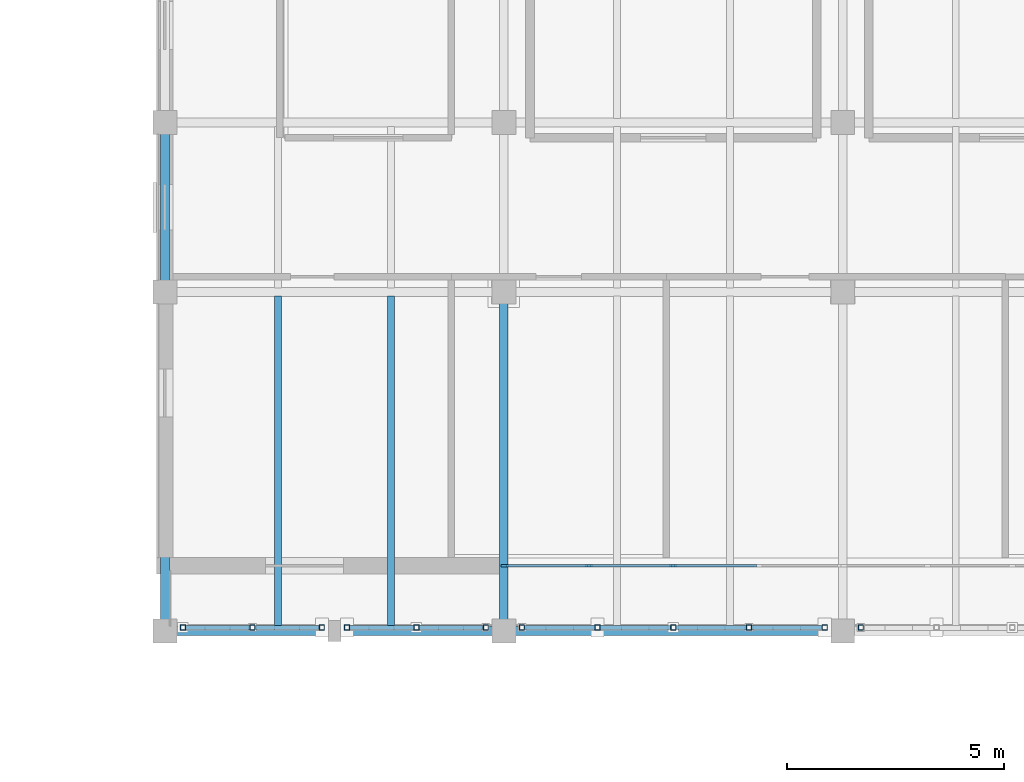
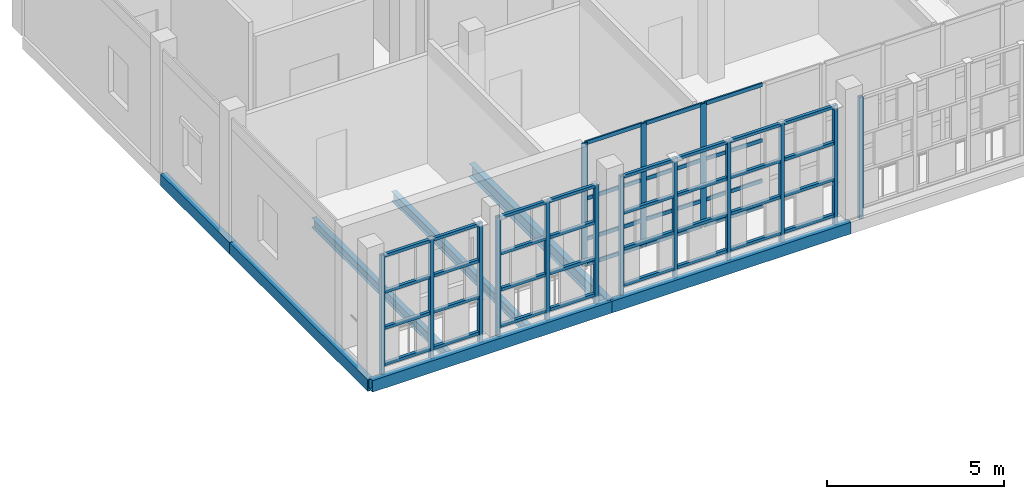
# One storey, part 48 of 119: 59 members, 7 beams, 1 element without a shape of its own.
"""IFC4 building model written with IfcOpenShell, lengths in metres."""

import ifcopenshell
import ifcopenshell.guid

model = None  # the IFC model being written
_history = None  # IfcOwnerHistory: only IFC2X3 demands one
_inside = {}  # id of a spatial element -> (the spatial element, [elements in it])
_under = {}  # id of a project, library or spatial element -> (it, [spatial elements below it])
_declared = {}  # id of a project -> (the project, [libraries it declares])
_typed = {}  # id of a type object -> (the type object, [elements of that type])
_made_of = {}  # id of a material, layer set ... -> (it, [elements and type objects made of it])


def new_model(schema):
    """Start an empty IFC model of exactly this schema.

    Asked for "IFC4X3", IfcOpenShell would pick the latest addendum, in which some entities
    have other attributes; the version numbers below select the first issue.
    IFC2X3 requires an IfcOwnerHistory on every rooted entity: one is made here for all.
    """
    global model, _history
    if schema == "IFC4X3":
        model = ifcopenshell.file(schema_version=(4, 3, 0, 0))
    else:
        model = ifcopenshell.file(schema=schema)
    _inside.clear()
    _under.clear()
    _declared.clear()
    _typed.clear()
    _made_of.clear()
    _history = None
    if model.schema == "IFC2X3":
        org = make("IfcOrganization", Name="unknown")
        user = make(
            "IfcPersonAndOrganization",
            ThePerson=make("IfcPerson", FamilyName="unknown"),
            TheOrganization=org,
        )
        app = make(
            "IfcApplication",
            ApplicationDeveloper=org,
            Version="unknown",
            ApplicationFullName="unknown",
            ApplicationIdentifier="unknown",
        )
        _history = make(
            "IfcOwnerHistory",
            OwningUser=user,
            OwningApplication=app,
            ChangeAction="ADDED",
            CreationDate=0,
        )
    return model


def make(cls, **values):
    """One entity of the class cls with the attributes given. An attribute that is None is left unset."""
    return model.create_entity(
        cls, **{name: value for name, value in values.items() if value is not None}
    )


def rooted(cls, **values):
    """An entity with a GlobalId (a new one), such as an element, a storey or a relation."""
    return make(cls, GlobalId=ifcopenshell.guid.new(), OwnerHistory=_history, **values)


def si_unit(unit_type, name, prefix=None):
    """IfcSIUnit, for example si_unit("LENGTHUNIT", "METRE", prefix="MILLI")."""
    return make("IfcSIUnit", UnitType=unit_type, Prefix=prefix, Name=name)


def assignment(units):
    """IfcUnitAssignment: the units of a project."""
    return None if units is None else make("IfcUnitAssignment", Units=units)


def point(xyz):
    """IfcCartesianPoint."""
    return None if xyz is None else make("IfcCartesianPoint", Coordinates=xyz)


def direction(xyz):
    """IfcDirection."""
    return None if xyz is None else make("IfcDirection", DirectionRatios=xyz)


def frame(location, z_axis=None, x_axis=None):
    """IfcAxis2Placement3D, a coordinate frame: its origin and axes. An axis left out is left unset."""
    return make(
        "IfcAxis2Placement3D",
        Location=point(location),
        Axis=direction(z_axis),
        RefDirection=direction(x_axis),
    )


def frame_2d(location, x_axis=None):
    """IfcAxis2Placement2D, a coordinate frame in the plane: its origin and x axis."""
    return make(
        "IfcAxis2Placement2D", Location=point(location), RefDirection=direction(x_axis)
    )


def origin():
    """The frame at (0, 0, 0) with its axes left unset."""
    return frame((0.0, 0.0, 0.0))


def origin_2d():
    """The frame at (0, 0) in the plane with its x axis left unset."""
    return frame_2d((0.0, 0.0))


def place(relative_to, where):
    """IfcLocalPlacement: puts the frame where relative to a parent placement (None: the world)."""
    return make(
        "IfcLocalPlacement", PlacementRelTo=relative_to, RelativePlacement=where
    )


def context(
    kind, dimensions, precision=None, world=None, true_north=None, identifier=None
):
    """IfcGeometricRepresentationContext, for example the 3D "Model" context."""
    return make(
        "IfcGeometricRepresentationContext",
        ContextIdentifier=identifier,
        ContextType=kind,
        CoordinateSpaceDimension=dimensions,
        Precision=precision,
        WorldCoordinateSystem=world,
        TrueNorth=true_north,
    )


def subcontext(parent, identifier, kind, view, scale=None):
    """IfcGeometricRepresentationSubContext, for example "Body" below "Model"."""
    return make(
        "IfcGeometricRepresentationSubContext",
        ContextIdentifier=identifier,
        ContextType=kind,
        ParentContext=parent,
        TargetScale=scale,
        TargetView=view,
    )


def project(units=None, contexts=None):
    """IfcProject with its units and contexts."""
    return rooted(
        "IfcProject",
        Name="project",
        RepresentationContexts=contexts,
        UnitsInContext=assignment(units),
    )


def spatial(cls, under=None, at=None, **own):
    """A site, building, storey or space (cls), placed at a placement, below another one or the project."""
    s = rooted(cls, ObjectPlacement=at, **own)
    if under is not None:
        _under.setdefault(under.id(), (under, []))[1].append(s)
    return s


def profile(cls, at=None, kind="AREA", **sizes):
    """A parametric profile (cls). Its sizes go by their IFC names, for example OverallWidth=200.0."""
    return make(cls, ProfileType=kind, Position=at, **sizes)


def rectangle(**sizes):
    """IfcRectangleProfileDef."""
    return profile("IfcRectangleProfileDef", **sizes)


def hollow_rectangle(**sizes):
    """IfcRectangleHollowProfileDef."""
    return profile("IfcRectangleHollowProfileDef", **sizes)


def i_section(**sizes):
    """IfcIShapeProfileDef."""
    return profile("IfcIShapeProfileDef", **sizes)


def extrude(swept, where, along, depth):
    """IfcExtrudedAreaSolid: the profile swept, set in the frame where, extruded along a direction by depth."""
    return make(
        "IfcExtrudedAreaSolid",
        SweptArea=swept,
        Position=where,
        ExtrudedDirection=direction(along),
        Depth=depth,
    )


def shape(context_of_items, identifier, shape_type, items):
    """IfcShapeRepresentation: the items that make up one representation, for example the "Body"."""
    return make(
        "IfcShapeRepresentation",
        ContextOfItems=context_of_items,
        RepresentationIdentifier=identifier,
        RepresentationType=shape_type,
        Items=items,
    )


def material(Name=None, Category=None):
    """IfcMaterial."""
    return make("IfcMaterial", Name=Name, Category=Category)


def layer(
    of_material, thickness, ventilated=None, Name=None, Category=None, Priority=None
):
    """IfcMaterialLayer: one layer of a wall or slab, of a material (None: an air gap)."""
    return make(
        "IfcMaterialLayer",
        Material=of_material,
        LayerThickness=thickness,
        IsVentilated=ventilated,
        Name=Name,
        Category=Category,
        Priority=Priority,
    )


def layer_set(layers, Name=None):
    """IfcMaterialLayerSet."""
    return make("IfcMaterialLayerSet", MaterialLayers=layers, LayerSetName=Name)


def material_profile(
    of_material, cross_section, Name=None, Category=None, Priority=None
):
    """IfcMaterialProfile: a cross section and its material."""
    return make(
        "IfcMaterialProfile",
        Name=Name,
        Material=of_material,
        Profile=cross_section,
        Priority=Priority,
        Category=Category,
    )


def profile_set(profiles, Name=None, composite=None):
    """IfcMaterialProfileSet."""
    return make(
        "IfcMaterialProfileSet",
        Name=Name,
        MaterialProfiles=profiles,
        CompositeProfile=composite,
    )


def made_of(thing, what):
    """Note that an element or type object is made of a material, layer set ...; save() writes the relation."""
    if what is not None:
        _made_of.setdefault(what.id(), (what, []))[1].append(thing)
    return thing


def type_object(cls, material=None, **own):
    """A type object (cls), such as IfcWallType, which elements share."""
    return made_of(rooted(cls, **own), material)


def element(
    cls,
    number,
    at=None,
    inside=None,
    cuts=None,
    type_object=None,
    material=None,
    context=None,
    identifier="Body",
    shape_type=None,
    held_by="IfcProductDefinitionShape",
    body=None,
    shapes=None,
    **own,
):
    """One element of the class cls, such as IfcWall. Its Tag is "e" and its number.

    at: its placement. inside: the storey or other place that contains it. cuts: it is an
    opening in that element (IfcRelVoidsElement). A single representation is given by context,
    identifier, shape_type and body (its items); several are given by shapes. held_by: the class
    of the entity that holds the representations. save() writes the other relations.
    """
    e = rooted(cls, Tag="e%d" % number, ObjectPlacement=at, **own)
    if body is not None:
        shapes = [shape(context, identifier, shape_type, body)]
    if shapes is not None:
        e.Representation = make(held_by, Representations=shapes)
    if inside is not None:
        _inside.setdefault(inside.id(), (inside, []))[1].append(e)
    if cuts is not None:
        rooted(
            "IfcRelVoidsElement", RelatingBuildingElement=cuts, RelatedOpeningElement=e
        )
    if type_object is not None:
        _typed.setdefault(type_object.id(), (type_object, []))[1].append(e)
    return made_of(e, material)


def aggregate(whole, parts):
    """IfcRelAggregates: a whole, such as a stair, and the parts it consists of."""
    return rooted("IfcRelAggregates", RelatingObject=whole, RelatedObjects=parts)


def save(model, path):
    """Write the relations noted so far, then the file.

    IfcRelAggregates (storeys below a building ...), IfcRelContainedInSpatialStructure (elements
    in a storey), IfcRelDefinesByType, IfcRelAssociatesMaterial and IfcRelDeclares: one each for
    every whole, place, type object, material and project.
    """
    for whole, parts in _under.values():
        aggregate(whole, parts)
    for where, things in _inside.values():
        rooted(
            "IfcRelContainedInSpatialStructure",
            RelatedElements=things,
            RelatingStructure=where,
        )
    for kind, things in _typed.values():
        rooted("IfcRelDefinesByType", RelatedObjects=things, RelatingType=kind)
    for what, things in _made_of.values():
        rooted("IfcRelAssociatesMaterial", RelatedObjects=things, RelatingMaterial=what)
    for by, libraries in _declared.values():
        rooted("IfcRelDeclares", RelatingContext=by, RelatedDefinitions=libraries)
    model.write(path)


model = new_model("IFC4")

# Units and contexts
model_context = context("Model", 3, precision=1e-05, world=origin(), true_north=direction((0.0, 1.0)))
body_context = subcontext(model_context, "Body", "Model", "MODEL_VIEW")
ifc_project = project(units=[si_unit("LENGTHUNIT", "METRE"), si_unit("AREAUNIT", "SQUARE_METRE"), si_unit("VOLUMEUNIT", "CUBIC_METRE"), si_unit("PLANEANGLEUNIT", "RADIAN"), si_unit("MASSUNIT", "GRAM", prefix="KILO")], contexts=[model_context])

# Site, building, storey
site_placement = place(None, origin())
site = spatial("IfcSite", under=ifc_project, at=site_placement, CompositionType="ELEMENT")
building_placement = place(site_placement, origin())
building = spatial("IfcBuilding", under=site, at=building_placement, Name="Celorna Specialist Clinic", CompositionType="ELEMENT")
storey_placement = place(building_placement, frame((0.0, 0.0, 9.60009765625)))
storey = spatial("IfcBuildingStorey", under=building, at=storey_placement, Name="L02", CompositionType="ELEMENT", Elevation=9.60009765625)

# Beams
ifc_material_1 = material(Name="Steel S355", Category="steel")
ifc_material_profile_1 = material_profile(ifc_material_1, i_section(OverallWidth=0.18994140625, OverallDepth=0.449951171875, WebThickness=0.009521484375, FlangeThickness=0.0146484375, at=origin_2d()), Name="IPE 450")
ifc_profile_set_1 = profile_set([ifc_material_profile_1], Name="Steel S355")
beam_type_1 = type_object("IfcBeamType", Name="BM-09", PredefinedType="BEAM", material=ifc_profile_set_1)
beam_1_placement = place(storey_placement, frame((54.60009765625, 96.5, -0.485107421875), z_axis=(0.0, 1.0, 0.0), x_axis=(-1.0, 0.0, 0.0)))
element("IfcBeam", 1, at=beam_1_placement, inside=storey, type_object=beam_type_1, Name="Transverse girder BM-09 #1113", PredefinedType="BEAM", context=body_context, shape_type="SweptSolid", body=[
    extrude(i_section(OverallWidth=0.18994140625, OverallDepth=0.449951171875, WebThickness=0.009521484375, FlangeThickness=0.0146484375, at=origin_2d()), origin(), (0.0, 0.0, 1.0), 7.800048828125),
])
ifc_material_profile_2 = material_profile(ifc_material_1, i_section(OverallWidth=0.159912109375, OverallDepth=0.330078125, WebThickness=0.007568359375, FlangeThickness=0.011474609375, at=origin_2d()), Name="IPE 330")
ifc_profile_set_2 = profile_set([ifc_material_profile_2], Name="Steel S355")
beam_type_2 = type_object("IfcBeamType", Name="BM-12", PredefinedType="JOIST", material=ifc_profile_set_2)
for number, where, z_axis, x_axis, name in (
    (2, (49.39990234375, 96.587890625, -0.425048828125), (0.0, 1.0, 0.0), (-1.0, 0.0, 0.0), "Secondary floor joist BM-12 #1145"),
    (3, (52.0, 96.587890625, -0.425048828125), (0.0, 1.0, 0.0), (-1.0, 0.0, 0.0), "Secondary floor joist BM-12 #1146"),
):
    element("IfcBeam", number, at=place(storey_placement, frame(where, z_axis=z_axis, x_axis=x_axis)), inside=storey, type_object=beam_type_2, Name=name, PredefinedType="JOIST", context=body_context, shape_type="SweptSolid", body=[
        extrude(i_section(OverallWidth=0.159912109375, OverallDepth=0.330078125, WebThickness=0.007568359375, FlangeThickness=0.011474609375, at=origin_2d()), origin(), (0.0, 0.0, 1.0), 7.6240234375),
    ])
ifc_material_profile_3 = material_profile(ifc_material_1, hollow_rectangle(XDim=0.199951171875, YDim=0.39990234375, WallThickness=0.011962890625, at=origin_2d()), Name="RHS 200x400x12")
ifc_profile_set_3 = profile_set([ifc_material_profile_3], Name="Steel S355")
beam_type_3 = type_object("IfcBeamType", Name="BM-15", PredefinedType="SPANDREL", material=ifc_profile_set_3)
beam_2_placement = place(storey_placement, frame((46.800048828125, 96.5, -0.460205078125), z_axis=(1.0, 0.0, 0.0), x_axis=(0.0, 1.0, 0.0)))
element("IfcBeam", 4, at=beam_2_placement, inside=storey, type_object=beam_type_3, Name="Spandrel beam BM-15 #1066", PredefinedType="SPANDREL", context=body_context, shape_type="SweptSolid", body=[
    extrude(hollow_rectangle(XDim=0.199951171875, YDim=0.39990234375, WallThickness=0.011962890625, at=origin_2d()), origin(), (0.0, 0.0, 1.0), 7.800048828125),
])
beam_3_placement = place(storey_placement, frame((54.60009765625, 96.5, -0.460205078125), z_axis=(1.0, 0.0, 0.0), x_axis=(0.0, 1.0, 0.0)))
element("IfcBeam", 5, at=beam_3_placement, inside=storey, type_object=beam_type_3, Name="Spandrel beam BM-15 #1067", PredefinedType="SPANDREL", context=body_context, shape_type="SweptSolid", body=[
    extrude(hollow_rectangle(XDim=0.199951171875, YDim=0.39990234375, WallThickness=0.011962890625, at=origin_2d()), origin(), (0.0, 0.0, 1.0), 7.7998046875),
])
beam_4_placement = place(storey_placement, frame((46.800048828125, 96.5, -0.460205078125), z_axis=(0.0, 1.0, 0.0), x_axis=(-1.0, 0.0, 0.0)))
element("IfcBeam", 6, at=beam_4_placement, inside=storey, type_object=beam_type_3, Name="Spandrel beam BM-15 #1110", PredefinedType="SPANDREL", context=body_context, shape_type="SweptSolid", body=[
    extrude(hollow_rectangle(XDim=0.199951171875, YDim=0.39990234375, WallThickness=0.011962890625, at=origin_2d()), origin(), (0.0, 0.0, 1.0), 7.800048828125),
])
beam_5_placement = place(storey_placement, frame((46.800048828125, 104.300048828125, -0.460205078125), z_axis=(0.0, 1.0, 0.0), x_axis=(-1.0, 0.0, 0.0)))
element("IfcBeam", 7, at=beam_5_placement, inside=storey, type_object=beam_type_3, Name="Spandrel beam BM-15 #1111", PredefinedType="SPANDREL", context=body_context, shape_type="SweptSolid", body=[
    extrude(hollow_rectangle(XDim=0.199951171875, YDim=0.39990234375, WallThickness=0.011962890625, at=origin_2d()), origin(), (0.0, 0.0, 1.0), 3.89990234375),
])

# Members
ifc_material_profile_4 = material_profile(ifc_material_1, hollow_rectangle(XDim=0.1201171875, YDim=0.1201171875, WallThickness=0.008056640625, at=origin_2d()), Name="SHS 120x120x8")
ifc_profile_set_4 = profile_set([ifc_material_profile_4], Name="Steel S355")
member_type_1 = type_object("IfcMemberType", Name="MB-11", PredefinedType="STUD", material=ifc_profile_set_4)
for number, where, z_axis, x_axis, name in (
    (8, (47.215087890625, 96.580078125, -0.360107421875), (0.0, 0.0, 1.0), (1.0, 0.0, 0.0), "Perforated screen steel post #995"),
    (9, (48.8125, 96.580078125, -0.360107421875), (0.0, 0.0, 1.0), (1.0, 0.0, 0.0), "Perforated screen steel post #996"),
    (10, (50.409912109375, 96.580078125, -0.360107421875), (0.0, 0.0, 1.0), (1.0, 0.0, 0.0), "Perforated screen steel post #997"),
    (11, (50.989990234375, 96.580078125, -0.360107421875), (0.0, 0.0, 1.0), (1.0, 0.0, 0.0), "Perforated screen steel post #1006"),
    (12, (52.58740234375, 96.580078125, -0.360107421875), (0.0, 0.0, 1.0), (1.0, 0.0, 0.0), "Perforated screen steel post #1007"),
    (13, (54.18505859375, 96.580078125, -0.360107421875), (0.0, 0.0, 1.0), (1.0, 0.0, 0.0), "Perforated screen steel post #1008"),
    (14, (55.014892578125, 96.580078125, -0.360107421875), (0.0, 0.0, 1.0), (1.0, 0.0, 0.0), "Perforated screen steel post #1017"),
    (15, (56.757568359375, 96.580078125, -0.360107421875), (0.0, 0.0, 1.0), (1.0, 0.0, 0.0), "Perforated screen steel post #1018"),
    (16, (58.5, 96.580078125, -0.360107421875), (0.0, 0.0, 1.0), (1.0, 0.0, 0.0), "Perforated screen steel post #1019"),
    (17, (60.242431640625, 96.580078125, -0.360107421875), (0.0, 0.0, 1.0), (1.0, 0.0, 0.0), "Perforated screen steel post #1020"),
    (18, (61.985107421875, 96.580078125, -0.360107421875), (0.0, 0.0, 1.0), (1.0, 0.0, 0.0), "Perforated screen steel post #1021"),
    (19, (62.81494140625, 96.580078125, -0.360107421875), (0.0, 0.0, 1.0), (1.0, 0.0, 0.0), "Perforated screen steel post #1038"),
):
    element("IfcMember", number, at=place(storey_placement, frame(where, z_axis=z_axis, x_axis=x_axis)), inside=storey, type_object=member_type_1, Name=name, PredefinedType="STUD", context=body_context, shape_type="SweptSolid", body=[
        extrude(hollow_rectangle(XDim=0.1201171875, YDim=0.1201171875, WallThickness=0.008056640625, at=origin_2d()), origin(), (0.0, 0.0, 1.0), 4.199951171875),
    ])
ifc_material_profile_5 = material_profile(ifc_material_1, hollow_rectangle(XDim=0.10009765625, YDim=0.10009765625, WallThickness=0.006103515625, at=origin_2d()), Name="SHS 100x100x6")
ifc_profile_set_5 = profile_set([ifc_material_profile_5], Name="Steel S355")
member_type_2 = type_object("IfcMemberType", Name="MB-12", PredefinedType="STUD", material=ifc_profile_set_5)
for number, where, z_axis, x_axis, name in (
    (20, (47.27490234375, 96.580078125, 0.0498046875), (1.0, 0.0, 0.0), (0.0, 1.0, 0.0), "Perforated screen rail #998"),
    (21, (47.27490234375, 96.580078125, 1.296630859375), (1.0, 0.0, 0.0), (0.0, 1.0, 0.0), "Perforated screen rail #999"),
    (22, (47.27490234375, 96.580078125, 2.543212890625), (1.0, 0.0, 0.0), (0.0, 1.0, 0.0), "Perforated screen rail #1000"),
    (23, (47.27490234375, 96.580078125, 3.789794921875), (1.0, 0.0, 0.0), (0.0, 1.0, 0.0), "Perforated screen rail #1001"),
    (24, (48.87255859375, 96.580078125, 0.0498046875), (1.0, 0.0, 0.0), (0.0, 1.0, 0.0), "Perforated screen rail #1002"),
    (25, (48.87255859375, 96.580078125, 1.296630859375), (1.0, 0.0, 0.0), (0.0, 1.0, 0.0), "Perforated screen rail #1003"),
    (26, (48.87255859375, 96.580078125, 2.543212890625), (1.0, 0.0, 0.0), (0.0, 1.0, 0.0), "Perforated screen rail #1004"),
    (27, (48.87255859375, 96.580078125, 3.789794921875), (1.0, 0.0, 0.0), (0.0, 1.0, 0.0), "Perforated screen rail #1005"),
    (28, (51.050048828125, 96.580078125, 0.0498046875), (1.0, 0.0, 0.0), (0.0, 1.0, 0.0), "Perforated screen rail #1009"),
    (29, (51.050048828125, 96.580078125, 1.296630859375), (1.0, 0.0, 0.0), (0.0, 1.0, 0.0), "Perforated screen rail #1010"),
    (30, (51.050048828125, 96.580078125, 2.543212890625), (1.0, 0.0, 0.0), (0.0, 1.0, 0.0), "Perforated screen rail #1011"),
    (31, (51.050048828125, 96.580078125, 3.789794921875), (1.0, 0.0, 0.0), (0.0, 1.0, 0.0), "Perforated screen rail #1012"),
    (32, (52.6474609375, 96.580078125, 0.0498046875), (1.0, 0.0, 0.0), (0.0, 1.0, 0.0), "Perforated screen rail #1013"),
    (33, (52.6474609375, 96.580078125, 1.296630859375), (1.0, 0.0, 0.0), (0.0, 1.0, 0.0), "Perforated screen rail #1014"),
    (34, (52.6474609375, 96.580078125, 2.543212890625), (1.0, 0.0, 0.0), (0.0, 1.0, 0.0), "Perforated screen rail #1015"),
    (35, (52.6474609375, 96.580078125, 3.789794921875), (1.0, 0.0, 0.0), (0.0, 1.0, 0.0), "Perforated screen rail #1016"),
):
    element("IfcMember", number, at=place(storey_placement, frame(where, z_axis=z_axis, x_axis=x_axis)), inside=storey, type_object=member_type_2, Name=name, PredefinedType="STUD", context=body_context, shape_type="SweptSolid", body=[
        extrude(hollow_rectangle(XDim=0.10009765625, YDim=0.10009765625, WallThickness=0.006103515625, at=origin_2d()), origin(), (0.0, 0.0, 1.0), 1.4775390625),
    ])
for number, where, z_axis, x_axis, name in (
    (36, (55.074951171875, 96.580078125, 0.0498046875), (1.0, 0.0, 0.0), (0.0, 1.0, 0.0), "Perforated screen rail #1022"),
    (37, (55.074951171875, 96.580078125, 1.296630859375), (1.0, 0.0, 0.0), (0.0, 1.0, 0.0), "Perforated screen rail #1023"),
    (38, (55.074951171875, 96.580078125, 2.543212890625), (1.0, 0.0, 0.0), (0.0, 1.0, 0.0), "Perforated screen rail #1024"),
    (39, (55.074951171875, 96.580078125, 3.789794921875), (1.0, 0.0, 0.0), (0.0, 1.0, 0.0), "Perforated screen rail #1025"),
    (40, (56.8173828125, 96.580078125, 0.0498046875), (1.0, 0.0, 0.0), (0.0, 1.0, 0.0), "Perforated screen rail #1026"),
    (41, (56.8173828125, 96.580078125, 1.296630859375), (1.0, 0.0, 0.0), (0.0, 1.0, 0.0), "Perforated screen rail #1027"),
    (42, (56.8173828125, 96.580078125, 2.543212890625), (1.0, 0.0, 0.0), (0.0, 1.0, 0.0), "Perforated screen rail #1028"),
    (43, (56.8173828125, 96.580078125, 3.789794921875), (1.0, 0.0, 0.0), (0.0, 1.0, 0.0), "Perforated screen rail #1029"),
    (44, (58.56005859375, 96.580078125, 0.0498046875), (1.0, 0.0, 0.0), (0.0, 1.0, 0.0), "Perforated screen rail #1030"),
    (45, (58.56005859375, 96.580078125, 1.296630859375), (1.0, 0.0, 0.0), (0.0, 1.0, 0.0), "Perforated screen rail #1031"),
    (46, (58.56005859375, 96.580078125, 2.543212890625), (1.0, 0.0, 0.0), (0.0, 1.0, 0.0), "Perforated screen rail #1032"),
    (47, (58.56005859375, 96.580078125, 3.789794921875), (1.0, 0.0, 0.0), (0.0, 1.0, 0.0), "Perforated screen rail #1033"),
    (48, (60.302490234375, 96.580078125, 0.0498046875), (1.0, 0.0, 0.0), (0.0, 1.0, 0.0), "Perforated screen rail #1034"),
    (49, (60.302490234375, 96.580078125, 1.296630859375), (1.0, 0.0, 0.0), (0.0, 1.0, 0.0), "Perforated screen rail #1035"),
    (50, (60.302490234375, 96.580078125, 2.543212890625), (1.0, 0.0, 0.0), (0.0, 1.0, 0.0), "Perforated screen rail #1036"),
    (51, (60.302490234375, 96.580078125, 3.789794921875), (1.0, 0.0, 0.0), (0.0, 1.0, 0.0), "Perforated screen rail #1037"),
):
    element("IfcMember", number, at=place(storey_placement, frame(where, z_axis=z_axis, x_axis=x_axis)), inside=storey, type_object=member_type_2, Name=name, PredefinedType="STUD", context=body_context, shape_type="SweptSolid", body=[
        extrude(hollow_rectangle(XDim=0.10009765625, YDim=0.10009765625, WallThickness=0.006103515625, at=origin_2d()), origin(), (0.0, 0.0, 1.0), 1.62255859375),
    ])

# Curtain wall, members
ifc_material_2 = material(Name="Thermally broken aluminium and solar-control glass curtain wall", Category="aluminium")
ifc_layer = layer(ifc_material_2, 0.159912109375, Name="Thermally broken aluminium and solar-control glass curtain wall")
ifc_layer_set = layer_set([ifc_layer], Name="Thermally broken aluminium and solar-control glass curtain wall")
curtain_wall_type = type_object("IfcCurtainWallType", Name="CW-67", PredefinedType="NOTDEFINED", material=ifc_layer_set)
curtain_wall_placement = place(storey_placement, origin())
curtain_wall = element("IfcCurtainWall", 52, at=curtain_wall_placement, inside=storey, type_object=curtain_wall_type, Name="Curtain wall CW-67 #121", PredefinedType="NOTDEFINED")
ifc_material_3 = material(Name="Anodized aluminium mullion", Category="aluminium")
ifc_material_profile_6 = material_profile(ifc_material_3, rectangle(XDim=0.050048828125, YDim=0.179931640625, at=origin_2d()), Name="ALU MULLION 50x180")
ifc_profile_set_6 = profile_set([ifc_material_profile_6], Name="Anodized aluminium mullion")
member_type_3 = type_object("IfcMemberType", Name="ML-02", PredefinedType="MULLION", material=ifc_profile_set_6)
member_1_placement = place(storey_placement, frame((58.5, 98.0, 0.0), z_axis=(0.0, 0.0, 1.0), x_axis=(0.0, -1.0, 0.0)))
member_1 = element("IfcMember", 53, at=member_1_placement, type_object=member_type_3, Name="CW-67 mullion 3", PredefinedType="MULLION", context=body_context, shape_type="SweptSolid", body=[
    extrude(rectangle(XDim=0.050048828125, YDim=0.179931640625, at=origin_2d()), origin(), (0.0, 0.0, 1.0), 4.239990234375),
])
member_2_placement = place(storey_placement, frame((56.552001953125, 98.0, 0.0), z_axis=(0.0, 0.0, 1.0), x_axis=(0.0, -1.0, 0.0)))
member_2 = element("IfcMember", 54, at=member_2_placement, type_object=member_type_3, Name="CW-67 mullion 4", PredefinedType="MULLION", context=body_context, shape_type="SweptSolid", body=[
    extrude(rectangle(XDim=0.050048828125, YDim=0.179931640625, at=origin_2d()), origin(), (0.0, 0.0, 1.0), 4.239990234375),
])
member_3_placement = place(storey_placement, frame((54.62890625, 98.0, 0.0), z_axis=(0.0, 0.0, 1.0), x_axis=(0.0, -1.0, 0.0)))
member_3 = element("IfcMember", 55, at=member_3_placement, type_object=member_type_3, Name="CW-67 mullion 5", PredefinedType="MULLION", context=body_context, shape_type="SweptSolid", body=[
    extrude(rectangle(XDim=0.050048828125, YDim=0.179931640625, at=origin_2d()), origin(), (0.0, 0.0, 1.0), 4.239990234375),
])
ifc_material_4 = material(Name="Anodized aluminium transom", Category="aluminium")
ifc_material_profile_7 = material_profile(ifc_material_4, rectangle(XDim=0.050048828125, YDim=0.1298828125, at=origin_2d()), Name="ALU TRANSOM 50x130")
ifc_profile_set_7 = profile_set([ifc_material_profile_7], Name="Anodized aluminium transom")
member_type_4 = type_object("IfcMemberType", Name="TR-01", PredefinedType="USERDEFINED", material=ifc_profile_set_7)
member_4_placement = place(storey_placement, frame((60.423095703125, 98.0, 0.02490234375), z_axis=(-1.0, 0.0, 0.0), x_axis=(0.0, -1.0, 0.0)))
member_4 = element("IfcMember", 56, at=member_4_placement, type_object=member_type_4, Name="CW-67 transom 2.1", ObjectType="TRANSOM", PredefinedType="USERDEFINED", context=body_context, shape_type="SweptSolid", body=[
    extrude(rectangle(XDim=0.050048828125, YDim=0.1298828125, at=origin_2d()), origin(), (0.0, 0.0, 1.0), 1.898193359375),
])
member_5_placement = place(storey_placement, frame((60.423095703125, 98.0, 0.89990234375), z_axis=(-1.0, 0.0, 0.0), x_axis=(0.0, -1.0, 0.0)))
member_5 = element("IfcMember", 57, at=member_5_placement, type_object=member_type_4, Name="CW-67 transom 2.2", ObjectType="TRANSOM", PredefinedType="USERDEFINED", context=body_context, shape_type="SweptSolid", body=[
    extrude(rectangle(XDim=0.050048828125, YDim=0.1298828125, at=origin_2d()), origin(), (0.0, 0.0, 1.0), 1.898193359375),
])
member_6_placement = place(storey_placement, frame((60.423095703125, 98.0, 2.2998046875), z_axis=(-1.0, 0.0, 0.0), x_axis=(0.0, -1.0, 0.0)))
member_6 = element("IfcMember", 58, at=member_6_placement, type_object=member_type_4, Name="CW-67 transom 2.3", ObjectType="TRANSOM", PredefinedType="USERDEFINED", context=body_context, shape_type="SweptSolid", body=[
    extrude(rectangle(XDim=0.050048828125, YDim=0.1298828125, at=origin_2d()), origin(), (0.0, 0.0, 1.0), 1.898193359375),
])
member_7_placement = place(storey_placement, frame((60.423095703125, 98.0, 4.21484375), z_axis=(-1.0, 0.0, 0.0), x_axis=(0.0, -1.0, 0.0)))
member_7 = element("IfcMember", 59, at=member_7_placement, type_object=member_type_4, Name="CW-67 transom 2.4", ObjectType="TRANSOM", PredefinedType="USERDEFINED", context=body_context, shape_type="SweptSolid", body=[
    extrude(rectangle(XDim=0.050048828125, YDim=0.1298828125, at=origin_2d()), origin(), (0.0, 0.0, 1.0), 1.898193359375),
])
member_8_placement = place(storey_placement, frame((58.47509765625, 98.0, 0.02490234375), z_axis=(-1.0, 0.0, 0.0), x_axis=(0.0, -1.0, 0.0)))
member_8 = element("IfcMember", 60, at=member_8_placement, type_object=member_type_4, Name="CW-67 transom 3.1", ObjectType="TRANSOM", PredefinedType="USERDEFINED", context=body_context, shape_type="SweptSolid", body=[
    extrude(rectangle(XDim=0.050048828125, YDim=0.1298828125, at=origin_2d()), origin(), (0.0, 0.0, 1.0), 1.898193359375),
])
member_9_placement = place(storey_placement, frame((58.47509765625, 98.0, 0.89990234375), z_axis=(-1.0, 0.0, 0.0), x_axis=(0.0, -1.0, 0.0)))
member_9 = element("IfcMember", 61, at=member_9_placement, type_object=member_type_4, Name="CW-67 transom 3.2", ObjectType="TRANSOM", PredefinedType="USERDEFINED", context=body_context, shape_type="SweptSolid", body=[
    extrude(rectangle(XDim=0.050048828125, YDim=0.1298828125, at=origin_2d()), origin(), (0.0, 0.0, 1.0), 1.898193359375),
])
member_10_placement = place(storey_placement, frame((58.47509765625, 98.0, 2.2998046875), z_axis=(-1.0, 0.0, 0.0), x_axis=(0.0, -1.0, 0.0)))
member_10 = element("IfcMember", 62, at=member_10_placement, type_object=member_type_4, Name="CW-67 transom 3.3", ObjectType="TRANSOM", PredefinedType="USERDEFINED", context=body_context, shape_type="SweptSolid", body=[
    extrude(rectangle(XDim=0.050048828125, YDim=0.1298828125, at=origin_2d()), origin(), (0.0, 0.0, 1.0), 1.898193359375),
])
member_11_placement = place(storey_placement, frame((58.47509765625, 98.0, 4.21484375), z_axis=(-1.0, 0.0, 0.0), x_axis=(0.0, -1.0, 0.0)))
member_11 = element("IfcMember", 63, at=member_11_placement, type_object=member_type_4, Name="CW-67 transom 3.4", ObjectType="TRANSOM", PredefinedType="USERDEFINED", context=body_context, shape_type="SweptSolid", body=[
    extrude(rectangle(XDim=0.050048828125, YDim=0.1298828125, at=origin_2d()), origin(), (0.0, 0.0, 1.0), 1.898193359375),
])
member_12_placement = place(storey_placement, frame((56.527099609375, 98.0, 0.02490234375), z_axis=(-1.0, 0.0, 0.0), x_axis=(0.0, -1.0, 0.0)))
member_12 = element("IfcMember", 64, at=member_12_placement, type_object=member_type_4, Name="CW-67 transom 4.1", ObjectType="TRANSOM", PredefinedType="USERDEFINED", context=body_context, shape_type="SweptSolid", body=[
    extrude(rectangle(XDim=0.050048828125, YDim=0.1298828125, at=origin_2d()), origin(), (0.0, 0.0, 1.0), 1.873046875),
])
member_13_placement = place(storey_placement, frame((56.527099609375, 98.0, 0.89990234375), z_axis=(-1.0, 0.0, 0.0), x_axis=(0.0, -1.0, 0.0)))
member_13 = element("IfcMember", 65, at=member_13_placement, type_object=member_type_4, Name="CW-67 transom 4.2", ObjectType="TRANSOM", PredefinedType="USERDEFINED", context=body_context, shape_type="SweptSolid", body=[
    extrude(rectangle(XDim=0.050048828125, YDim=0.1298828125, at=origin_2d()), origin(), (0.0, 0.0, 1.0), 1.873046875),
])
member_14_placement = place(storey_placement, frame((56.527099609375, 98.0, 2.2998046875), z_axis=(-1.0, 0.0, 0.0), x_axis=(0.0, -1.0, 0.0)))
member_14 = element("IfcMember", 66, at=member_14_placement, type_object=member_type_4, Name="CW-67 transom 4.3", ObjectType="TRANSOM", PredefinedType="USERDEFINED", context=body_context, shape_type="SweptSolid", body=[
    extrude(rectangle(XDim=0.050048828125, YDim=0.1298828125, at=origin_2d()), origin(), (0.0, 0.0, 1.0), 1.873046875),
])
member_15_placement = place(storey_placement, frame((56.527099609375, 98.0, 4.21484375), z_axis=(-1.0, 0.0, 0.0), x_axis=(0.0, -1.0, 0.0)))
member_15 = element("IfcMember", 67, at=member_15_placement, type_object=member_type_4, Name="CW-67 transom 4.4", ObjectType="TRANSOM", PredefinedType="USERDEFINED", context=body_context, shape_type="SweptSolid", body=[
    extrude(rectangle(XDim=0.050048828125, YDim=0.1298828125, at=origin_2d()), origin(), (0.0, 0.0, 1.0), 1.873046875),
])
aggregate(curtain_wall, [member_1, member_2, member_3, member_4, member_5, member_6, member_7, member_8, member_9, member_10, member_11, member_12, member_13, member_14, member_15])

save(model, "model.ifc")
